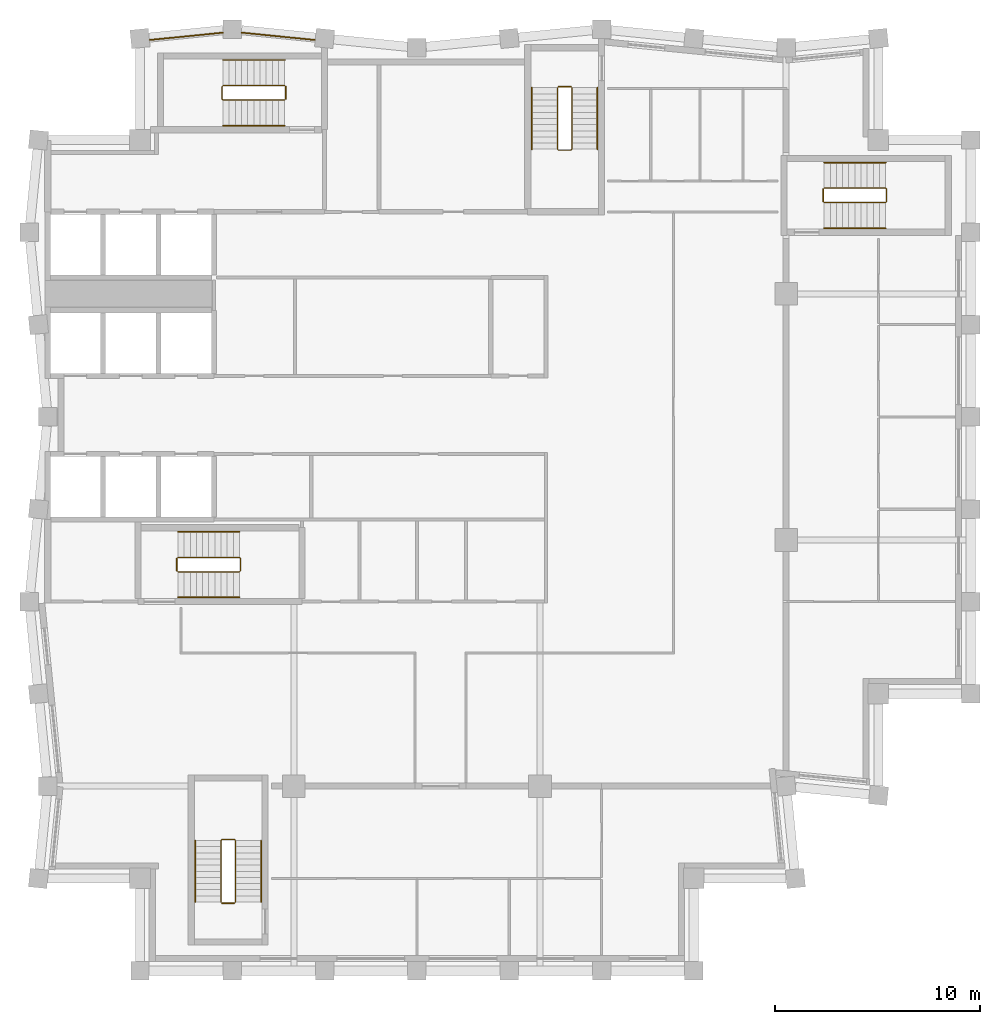
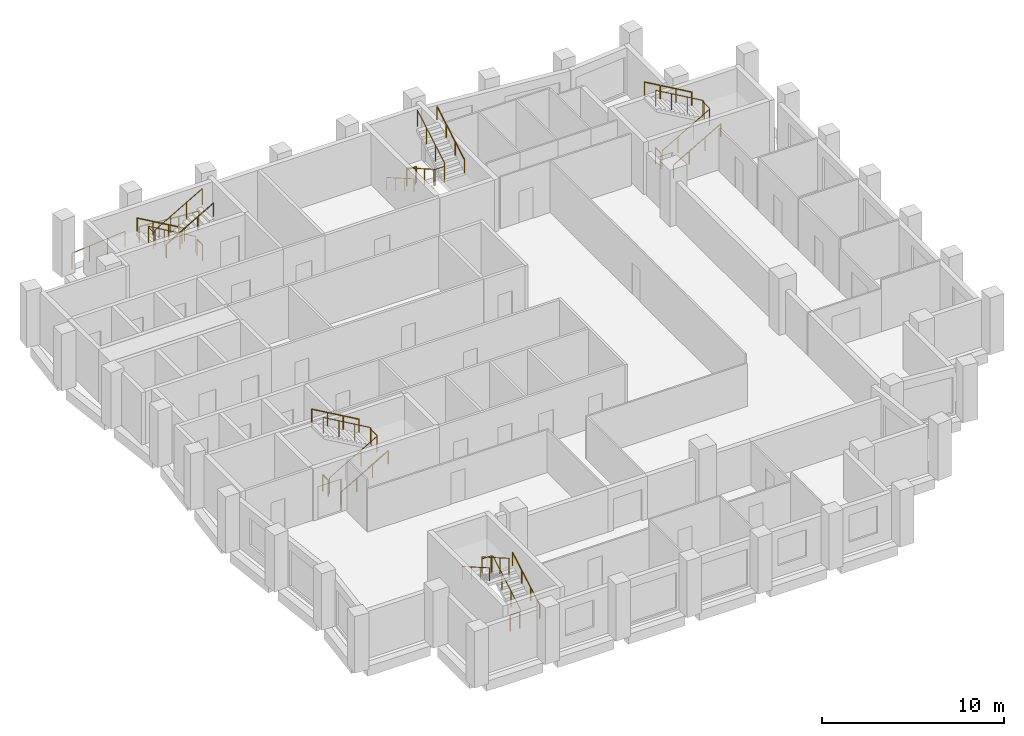
# One storey, part 7 of 7: 22 railings.
"""IFC4 building model written with IfcOpenShell, lengths in metres."""

from ifc_helpers import new_model, si_unit, direction, frame, origin, origin_2d, place, context, subcontext, project, spatial, circle, extrude, material, type_object, element, save


model = new_model("IFC4")

# Units and contexts
model_context = context("Model", 3, precision=1e-05, world=origin(), true_north=direction((0.0, 1.0)))
body_context = subcontext(model_context, "Body", "Model", "MODEL_VIEW")
ifc_project = project(units=[si_unit("LENGTHUNIT", "METRE"), si_unit("AREAUNIT", "SQUARE_METRE"), si_unit("VOLUMEUNIT", "CUBIC_METRE"), si_unit("PLANEANGLEUNIT", "RADIAN"), si_unit("MASSUNIT", "GRAM", prefix="KILO")], contexts=[model_context])

# Site, building, storey
site_placement = place(None, origin())
site = spatial("IfcSite", under=ifc_project, at=site_placement, CompositionType="ELEMENT")
building_placement = place(site_placement, origin())
building = spatial("IfcBuilding", under=site, at=building_placement, Name="Brondeck Convention Tower", CompositionType="ELEMENT")
storey_placement = place(building_placement, frame((0.0, 0.0, 256.199951171875)))
storey = spatial("IfcBuildingStorey", under=building, at=storey_placement, Name="L63", CompositionType="ELEMENT", Elevation=256.199951171875)

# Railings
ifc_material_1 = material(Name="Steel S355, bronze painted", Category="steel")
railing_type_1 = type_object("IfcRailingType", Name="Guard, bronze steel rail and posts", PredefinedType="GUARDRAIL", material=ifc_material_1)
railing_1_placement = place(storey_placement, frame((4.9794921875, 63.37744140625, 0.0)))
element("IfcRailing", 1, at=railing_1_placement, inside=storey, type_object=railing_type_1, Name="ENV-RL-L63-REAR1", PredefinedType="GUARDRAIL", context=body_context, shape_type="SweptSolid", body=[
    extrude(circle(Radius=0.02490234375, at=origin_2d()), frame((0.0, 0.0, 1.0751953125), z_axis=(0.995037864926, 0.099496971632, 0.0), x_axis=(-0.099496971632, 0.995037864926, 0.0)), (0.0, 0.0, 1.0), 3.58251953125),
    extrude(circle(Radius=0.02490234375, at=origin_2d()), origin(), (0.0, 0.0, 1.0), 1.050048828125),
    extrude(circle(Radius=0.02490234375, at=origin_2d()), frame((1.188232421875, 0.118896484375, 0.0)), (0.0, 0.0, 1.0), 1.050048828125),
    extrude(circle(Radius=0.02490234375, at=origin_2d()), frame((2.37646484375, 0.237548828125, 0.0)), (0.0, 0.0, 1.0), 1.050048828125),
    extrude(circle(Radius=0.02490234375, at=origin_2d()), frame((3.564697265625, 0.3564453125, 0.0)), (0.0, 0.0, 1.0), 1.050048828125),
])
railing_2_placement = place(storey_placement, frame((9.455810546875, 63.73388671875, 0.0)))
element("IfcRailing", 2, at=railing_2_placement, inside=storey, type_object=railing_type_1, Name="ENV-RL-L63-REAR2", PredefinedType="GUARDRAIL", context=body_context, shape_type="SweptSolid", body=[
    extrude(circle(Radius=0.02490234375, at=origin_2d()), frame((0.0, 0.0, 1.0751953125), z_axis=(0.995037864926, -0.099496971632, 0.0), x_axis=(0.099496971632, 0.995037864926, 0.0)), (0.0, 0.0, 1.0), 3.58251953125),
    extrude(circle(Radius=0.02490234375, at=origin_2d()), origin(), (0.0, 0.0, 1.0), 1.050048828125),
    extrude(circle(Radius=0.02490234375, at=origin_2d()), frame((1.188232421875, -0.118896484375, 0.0)), (0.0, 0.0, 1.0), 1.050048828125),
    extrude(circle(Radius=0.02490234375, at=origin_2d()), frame((2.37646484375, -0.237548828125, 0.0)), (0.0, 0.0, 1.0), 1.050048828125),
    extrude(circle(Radius=0.02490234375, at=origin_2d()), frame((3.564697265625, -0.3564453125, 0.0)), (0.0, 0.0, 1.0), 1.050048828125),
])
ifc_material_2 = material(Name="Steel S355", Category="steel")
railing_type_2 = type_object("IfcRailingType", Name="Stair guard 1100", PredefinedType="GUARDRAIL", material=ifc_material_2)
railing_3_placement = place(storey_placement, frame((6.35009765625, 37.449951171875, 0.1728515625)))
element("IfcRailing", 3, at=railing_3_placement, inside=storey, type_object=railing_type_2, Name="L63 ST-1 stair guard 1", PredefinedType="GUARDRAIL", context=body_context, shape_type="SweptSolid", body=[
    extrude(circle(Radius=0.02392578125, at=origin_2d()), frame((0.0, 0.0, 1.076171875), z_axis=(0.866619684472, 0.0, 0.498969260062), x_axis=(0.0, 1.0, 0.0)), (0.0, 0.0, 1.0), 3.461669921875),
    extrude(circle(Radius=0.02392578125, at=origin_2d()), frame((3.0, 0.0, 2.80322265625), z_axis=(0.705375805398, 0.708833529934, 0.0), x_axis=(-0.708833529934, 0.705375805398, 0.0)), (0.0, 0.0, 1.0), 0.070556640625),
    extrude(circle(Radius=0.02392578125, at=origin_2d()), frame((3.0498046875, 0.050048828125, 2.80322265625), z_axis=(0.0, 1.0, 0.0), x_axis=(-1.0, 0.0, 0.0)), (0.0, 0.0, 1.0), 0.60009765625),
    extrude(circle(Radius=0.02392578125, at=origin_2d()), frame((3.0498046875, 0.650146484375, 2.80322265625), z_axis=(-0.26715648603, 0.26715648603, 0.925880566782), x_axis=(-0.707106781187, -0.707106781187, 0.0)), (0.0, 0.0, 1.0), 0.1865234375),
    extrude(circle(Radius=0.02392578125, at=origin_2d()), frame((3.0, 0.699951171875, 2.97607421875), z_axis=(-0.866619684472, 0.0, 0.498969260062), x_axis=(0.0, -1.0, 0.0)), (0.0, 0.0, 1.0), 3.461669921875),
    extrude(circle(Radius=0.02099609375, at=origin_2d()), origin(), (0.0, 0.0, 1.0), 1.052001953125),
    extrude(circle(Radius=0.02099609375, at=origin_2d()), frame((1.0, 0.0, 0.57568359375)), (0.0, 0.0, 1.0), 1.052001953125),
    extrude(circle(Radius=0.02099609375, at=origin_2d()), frame((2.0, 0.0, 1.151611328125)), (0.0, 0.0, 1.0), 1.052001953125),
    extrude(circle(Radius=0.02099609375, at=origin_2d()), frame((3.0, 0.0, 1.727294921875)), (0.0, 0.0, 1.0), 1.052001953125),
    extrude(circle(Radius=0.02099609375, at=origin_2d()), frame((3.0498046875, 0.050048828125, 1.727294921875)), (0.0, 0.0, 1.0), 1.052001953125),
    extrude(circle(Radius=0.02099609375, at=origin_2d()), frame((3.0498046875, 0.650146484375, 1.727294921875)), (0.0, 0.0, 1.0), 1.052001953125),
    extrude(circle(Radius=0.02099609375, at=origin_2d()), frame((3.0, 0.699951171875, 1.89990234375)), (0.0, 0.0, 1.0), 1.052001953125),
    extrude(circle(Radius=0.02099609375, at=origin_2d()), frame((2.0, 0.699951171875, 2.4755859375)), (0.0, 0.0, 1.0), 1.052001953125),
    extrude(circle(Radius=0.02099609375, at=origin_2d()), frame((1.0, 0.699951171875, 3.051513671875)), (0.0, 0.0, 1.0), 1.052001953125),
    extrude(circle(Radius=0.02099609375, at=origin_2d()), frame((0.0, 0.699951171875, 3.627197265625)), (0.0, 0.0, 1.0), 1.052001953125),
])
railing_4_placement = place(storey_placement, frame((6.300048828125, 37.5, 0.0)))
element("IfcRailing", 4, at=railing_4_placement, inside=storey, type_object=railing_type_2, Name="L63 ST-1 stair guard 2", PredefinedType="GUARDRAIL", context=body_context, shape_type="SweptSolid", body=[
    extrude(circle(Radius=0.02392578125, at=origin_2d()), frame((0.0, 0.0, 1.076171875), z_axis=(0.0, 1.0, 0.0), x_axis=(-1.0, 0.0, 0.0)), (0.0, 0.0, 1.0), 0.60009765625),
    extrude(circle(Radius=0.02099609375, at=origin_2d()), origin(), (0.0, 0.0, 1.0), 1.052001953125),
    extrude(circle(Radius=0.02099609375, at=origin_2d()), frame((0.0, 0.60009765625, 0.0)), (0.0, 0.0, 1.0), 1.052001953125),
])
railing_5_placement = place(storey_placement, frame((24.85009765625, 61.050048828125, 0.1728515625)))
element("IfcRailing", 5, at=railing_5_placement, inside=storey, type_object=railing_type_2, Name="L63 ST-2 stair guard 1", PredefinedType="GUARDRAIL", context=body_context, shape_type="SweptSolid", body=[
    extrude(circle(Radius=0.02392578125, at=origin_2d()), frame((0.0, 0.0, 1.076171875), z_axis=(0.0, -0.866619684472, 0.498969260062), x_axis=(1.0, 0.0, 0.0)), (0.0, 0.0, 1.0), 3.461669921875),
    extrude(circle(Radius=0.02392578125, at=origin_2d()), frame((0.0, -3.0, 2.80322265625), z_axis=(0.705375805398, -0.708833529934, 0.0), x_axis=(0.708833529934, 0.705375805398, 0.0)), (0.0, 0.0, 1.0), 0.070556640625),
    extrude(circle(Radius=0.02392578125, at=origin_2d()), frame((0.0498046875, -3.050048828125, 2.80322265625), z_axis=(1.0, 0.0, 0.0), x_axis=(0.0, 1.0, 0.0)), (0.0, 0.0, 1.0), 0.60009765625),
    extrude(circle(Radius=0.02392578125, at=origin_2d()), frame((0.64990234375, -3.050048828125, 2.80322265625), z_axis=(0.268277960024, 0.268277960024, 0.925231793839), x_axis=(-0.707106781187, 0.707106781187, 0.0)), (0.0, 0.0, 1.0), 0.1865234375),
    extrude(circle(Radius=0.02392578125, at=origin_2d()), frame((0.699951171875, -3.0, 2.97607421875), z_axis=(0.0, 0.866619684472, 0.498969260062), x_axis=(-1.0, 0.0, 0.0)), (0.0, 0.0, 1.0), 3.461669921875),
    extrude(circle(Radius=0.02099609375, at=origin_2d()), origin(), (0.0, 0.0, 1.0), 1.052001953125),
    extrude(circle(Radius=0.02099609375, at=origin_2d()), frame((0.0, -1.0, 0.57568359375)), (0.0, 0.0, 1.0), 1.052001953125),
    extrude(circle(Radius=0.02099609375, at=origin_2d()), frame((0.0, -2.0, 1.151611328125)), (0.0, 0.0, 1.0), 1.052001953125),
    extrude(circle(Radius=0.02099609375, at=origin_2d()), frame((0.0, -3.0, 1.727294921875)), (0.0, 0.0, 1.0), 1.052001953125),
    extrude(circle(Radius=0.02099609375, at=origin_2d()), frame((0.0498046875, -3.050048828125, 1.727294921875)), (0.0, 0.0, 1.0), 1.052001953125),
    extrude(circle(Radius=0.02099609375, at=origin_2d()), frame((0.64990234375, -3.050048828125, 1.727294921875)), (0.0, 0.0, 1.0), 1.052001953125),
    extrude(circle(Radius=0.02099609375, at=origin_2d()), frame((0.699951171875, -3.0, 1.89990234375)), (0.0, 0.0, 1.0), 1.052001953125),
    extrude(circle(Radius=0.02099609375, at=origin_2d()), frame((0.699951171875, -2.0, 2.4755859375)), (0.0, 0.0, 1.0), 1.052001953125),
    extrude(circle(Radius=0.02099609375, at=origin_2d()), frame((0.699951171875, -1.0, 3.051513671875)), (0.0, 0.0, 1.0), 1.052001953125),
    extrude(circle(Radius=0.02099609375, at=origin_2d()), frame((0.699951171875, 0.0, 3.627197265625)), (0.0, 0.0, 1.0), 1.052001953125),
])
railing_6_placement = place(storey_placement, frame((24.89990234375, 61.10009765625, 0.0)))
element("IfcRailing", 6, at=railing_6_placement, inside=storey, type_object=railing_type_2, Name="L63 ST-2 stair guard 2", PredefinedType="GUARDRAIL", context=body_context, shape_type="SweptSolid", body=[
    extrude(circle(Radius=0.02392578125, at=origin_2d()), frame((0.0, 0.0, 1.076171875), z_axis=(1.0, 0.0, 0.0), x_axis=(0.0, 1.0, 0.0)), (0.0, 0.0, 1.0), 0.60009765625),
    extrude(circle(Radius=0.02099609375, at=origin_2d()), origin(), (0.0, 0.0, 1.0), 1.052001953125),
    extrude(circle(Radius=0.02099609375, at=origin_2d()), frame((0.60009765625, 0.0, 0.0)), (0.0, 0.0, 1.0), 1.052001953125),
])
railing_7_placement = place(storey_placement, frame((11.550048828125, 61.14990234375, 0.1728515625)))
element("IfcRailing", 7, at=railing_7_placement, inside=storey, type_object=railing_type_2, Name="L63 ST-3 stair guard 1", PredefinedType="GUARDRAIL", context=body_context, shape_type="SweptSolid", body=[
    extrude(circle(Radius=0.02392578125, at=origin_2d()), frame((0.0, 0.0, 1.076171875), z_axis=(-0.866619684472, 0.0, 0.498969260062), x_axis=(0.0, -1.0, 0.0)), (0.0, 0.0, 1.0), 3.461669921875),
    extrude(circle(Radius=0.02392578125, at=origin_2d()), frame((-3.0, 0.0, 2.80322265625), z_axis=(-0.708833529934, -0.705375805398, 0.0), x_axis=(0.705375805398, -0.708833529934, 0.0)), (0.0, 0.0, 1.0), 0.070556640625),
    extrude(circle(Radius=0.02392578125, at=origin_2d()), frame((-3.050048828125, -0.0498046875, 2.80322265625), z_axis=(0.0, -1.0, 0.0), x_axis=(1.0, 0.0, 0.0)), (0.0, 0.0, 1.0), 0.60009765625),
    extrude(circle(Radius=0.02392578125, at=origin_2d()), frame((-3.050048828125, -0.64990234375, 2.80322265625), z_axis=(0.268277960024, -0.268277960024, 0.925231793839), x_axis=(0.707106781187, 0.707106781187, 0.0)), (0.0, 0.0, 1.0), 0.1865234375),
    extrude(circle(Radius=0.02392578125, at=origin_2d()), frame((-3.0, -0.699951171875, 2.97607421875), z_axis=(0.866619684472, 0.0, 0.498969260062), x_axis=(0.0, 1.0, 0.0)), (0.0, 0.0, 1.0), 3.461669921875),
    extrude(circle(Radius=0.02099609375, at=origin_2d()), origin(), (0.0, 0.0, 1.0), 1.052001953125),
    extrude(circle(Radius=0.02099609375, at=origin_2d()), frame((-1.0, 0.0, 0.57568359375)), (0.0, 0.0, 1.0), 1.052001953125),
    extrude(circle(Radius=0.02099609375, at=origin_2d()), frame((-2.0, 0.0, 1.151611328125)), (0.0, 0.0, 1.0), 1.052001953125),
    extrude(circle(Radius=0.02099609375, at=origin_2d()), frame((-3.0, 0.0, 1.727294921875)), (0.0, 0.0, 1.0), 1.052001953125),
    extrude(circle(Radius=0.02099609375, at=origin_2d()), frame((-3.050048828125, -0.0498046875, 1.727294921875)), (0.0, 0.0, 1.0), 1.052001953125),
    extrude(circle(Radius=0.02099609375, at=origin_2d()), frame((-3.050048828125, -0.64990234375, 1.727294921875)), (0.0, 0.0, 1.0), 1.052001953125),
    extrude(circle(Radius=0.02099609375, at=origin_2d()), frame((-3.0, -0.699951171875, 1.89990234375)), (0.0, 0.0, 1.0), 1.052001953125),
    extrude(circle(Radius=0.02099609375, at=origin_2d()), frame((-2.0, -0.699951171875, 2.4755859375)), (0.0, 0.0, 1.0), 1.052001953125),
    extrude(circle(Radius=0.02099609375, at=origin_2d()), frame((-1.0, -0.699951171875, 3.051513671875)), (0.0, 0.0, 1.0), 1.052001953125),
    extrude(circle(Radius=0.02099609375, at=origin_2d()), frame((0.0, -0.699951171875, 3.627197265625)), (0.0, 0.0, 1.0), 1.052001953125),
])
railing_8_placement = place(storey_placement, frame((11.60009765625, 61.10009765625, 0.0)))
element("IfcRailing", 8, at=railing_8_placement, inside=storey, type_object=railing_type_2, Name="L63 ST-3 stair guard 2", PredefinedType="GUARDRAIL", context=body_context, shape_type="SweptSolid", body=[
    extrude(circle(Radius=0.02392578125, at=origin_2d()), frame((0.0, 0.0, 1.076171875), z_axis=(0.0, -1.0, 0.0), x_axis=(1.0, 0.0, 0.0)), (0.0, 0.0, 1.0), 0.60009765625),
    extrude(circle(Radius=0.02099609375, at=origin_2d()), origin(), (0.0, 0.0, 1.0), 1.052001953125),
    extrude(circle(Radius=0.02099609375, at=origin_2d()), frame((0.0, -0.60009765625, 0.0)), (0.0, 0.0, 1.0), 1.052001953125),
])
railing_9_placement = place(storey_placement, frame((37.85009765625, 55.449951171875, 0.1728515625)))
element("IfcRailing", 9, at=railing_9_placement, inside=storey, type_object=railing_type_2, Name="L63 ST-AE stair guard 1", PredefinedType="GUARDRAIL", context=body_context, shape_type="SweptSolid", body=[
    extrude(circle(Radius=0.02392578125, at=origin_2d()), frame((0.0, 0.0, 1.076171875), z_axis=(0.866619684472, 0.0, 0.498969260062), x_axis=(0.0, 1.0, 0.0)), (0.0, 0.0, 1.0), 3.461669921875),
    extrude(circle(Radius=0.02392578125, at=origin_2d()), frame((3.0, 0.0, 2.80322265625), z_axis=(0.705375805398, 0.708833529934, 0.0), x_axis=(-0.708833529934, 0.705375805398, 0.0)), (0.0, 0.0, 1.0), 0.070556640625),
    extrude(circle(Radius=0.02392578125, at=origin_2d()), frame((3.0498046875, 0.050048828125, 2.80322265625), z_axis=(0.0, 1.0, 0.0), x_axis=(-1.0, 0.0, 0.0)), (0.0, 0.0, 1.0), 0.60009765625),
    extrude(circle(Radius=0.02392578125, at=origin_2d()), frame((3.0498046875, 0.650146484375, 2.80322265625), z_axis=(-0.26715648603, 0.26715648603, 0.925880566782), x_axis=(-0.707106781187, -0.707106781187, 0.0)), (0.0, 0.0, 1.0), 0.1865234375),
    extrude(circle(Radius=0.02392578125, at=origin_2d()), frame((3.0, 0.699951171875, 2.97607421875), z_axis=(-0.866619684472, 0.0, 0.498969260062), x_axis=(0.0, -1.0, 0.0)), (0.0, 0.0, 1.0), 3.461669921875),
    extrude(circle(Radius=0.02099609375, at=origin_2d()), origin(), (0.0, 0.0, 1.0), 1.052001953125),
    extrude(circle(Radius=0.02099609375, at=origin_2d()), frame((1.0, 0.0, 0.57568359375)), (0.0, 0.0, 1.0), 1.052001953125),
    extrude(circle(Radius=0.02099609375, at=origin_2d()), frame((2.0, 0.0, 1.151611328125)), (0.0, 0.0, 1.0), 1.052001953125),
    extrude(circle(Radius=0.02099609375, at=origin_2d()), frame((3.0, 0.0, 1.727294921875)), (0.0, 0.0, 1.0), 1.052001953125),
    extrude(circle(Radius=0.02099609375, at=origin_2d()), frame((3.0498046875, 0.050048828125, 1.727294921875)), (0.0, 0.0, 1.0), 1.052001953125),
    extrude(circle(Radius=0.02099609375, at=origin_2d()), frame((3.0498046875, 0.650146484375, 1.727294921875)), (0.0, 0.0, 1.0), 1.052001953125),
    extrude(circle(Radius=0.02099609375, at=origin_2d()), frame((3.0, 0.699951171875, 1.89990234375)), (0.0, 0.0, 1.0), 1.052001953125),
    extrude(circle(Radius=0.02099609375, at=origin_2d()), frame((2.0, 0.699951171875, 2.4755859375)), (0.0, 0.0, 1.0), 1.052001953125),
    extrude(circle(Radius=0.02099609375, at=origin_2d()), frame((1.0, 0.699951171875, 3.051513671875)), (0.0, 0.0, 1.0), 1.052001953125),
    extrude(circle(Radius=0.02099609375, at=origin_2d()), frame((0.0, 0.699951171875, 3.627197265625)), (0.0, 0.0, 1.0), 1.052001953125),
])
railing_10_placement = place(storey_placement, frame((37.800048828125, 55.5, 0.0)))
element("IfcRailing", 10, at=railing_10_placement, inside=storey, type_object=railing_type_2, Name="L63 ST-AE stair guard 2", PredefinedType="GUARDRAIL", context=body_context, shape_type="SweptSolid", body=[
    extrude(circle(Radius=0.02392578125, at=origin_2d()), frame((0.0, 0.0, 1.076171875), z_axis=(0.0, 1.0, 0.0), x_axis=(-1.0, 0.0, 0.0)), (0.0, 0.0, 1.0), 0.60009765625),
    extrude(circle(Radius=0.02099609375, at=origin_2d()), origin(), (0.0, 0.0, 1.0), 1.052001953125),
    extrude(circle(Radius=0.02099609375, at=origin_2d()), frame((0.0, 0.60009765625, 0.0)), (0.0, 0.0, 1.0), 1.052001953125),
])
railing_11_placement = place(storey_placement, frame((9.14990234375, 21.35009765625, 0.1728515625)))
element("IfcRailing", 11, at=railing_11_placement, inside=storey, type_object=railing_type_2, Name="L63 ST-BE stair guard 1", PredefinedType="GUARDRAIL", context=body_context, shape_type="SweptSolid", body=[
    extrude(circle(Radius=0.02392578125, at=origin_2d()), frame((0.0, 0.0, 1.076171875), z_axis=(0.0, 0.866619684472, 0.498969260062), x_axis=(-1.0, 0.0, 0.0)), (0.0, 0.0, 1.0), 3.461669921875),
    extrude(circle(Radius=0.02392578125, at=origin_2d()), frame((0.0, 3.0, 2.80322265625), z_axis=(-0.707106781187, 0.707106781187, 0.0), x_axis=(-0.707106781187, -0.707106781187, 0.0)), (0.0, 0.0, 1.0), 0.0703125),
    extrude(circle(Radius=0.02392578125, at=origin_2d()), frame((-0.0498046875, 3.0498046875, 2.80322265625), z_axis=(-1.0, 0.0, 0.0), x_axis=(0.0, -1.0, 0.0)), (0.0, 0.0, 1.0), 0.60009765625),
    extrude(circle(Radius=0.02392578125, at=origin_2d()), frame((-0.64990234375, 3.0498046875, 2.80322265625), z_axis=(-0.268371968888, -0.267062837333, 0.925556009775), x_axis=(0.705375805398, -0.708833529934, 0.0)), (0.0, 0.0, 1.0), 0.1865234375),
    extrude(circle(Radius=0.02392578125, at=origin_2d()), frame((-0.699951171875, 3.0, 2.97607421875), z_axis=(0.0, -0.866619684472, 0.498969260062), x_axis=(1.0, 0.0, 0.0)), (0.0, 0.0, 1.0), 3.461669921875),
    extrude(circle(Radius=0.02099609375, at=origin_2d()), origin(), (0.0, 0.0, 1.0), 1.052001953125),
    extrude(circle(Radius=0.02099609375, at=origin_2d()), frame((0.0, 1.0, 0.57568359375)), (0.0, 0.0, 1.0), 1.052001953125),
    extrude(circle(Radius=0.02099609375, at=origin_2d()), frame((0.0, 2.0, 1.151611328125)), (0.0, 0.0, 1.0), 1.052001953125),
    extrude(circle(Radius=0.02099609375, at=origin_2d()), frame((0.0, 3.0, 1.727294921875)), (0.0, 0.0, 1.0), 1.052001953125),
    extrude(circle(Radius=0.02099609375, at=origin_2d()), frame((-0.0498046875, 3.0498046875, 1.727294921875)), (0.0, 0.0, 1.0), 1.052001953125),
    extrude(circle(Radius=0.02099609375, at=origin_2d()), frame((-0.64990234375, 3.0498046875, 1.727294921875)), (0.0, 0.0, 1.0), 1.052001953125),
    extrude(circle(Radius=0.02099609375, at=origin_2d()), frame((-0.699951171875, 3.0, 1.89990234375)), (0.0, 0.0, 1.0), 1.052001953125),
    extrude(circle(Radius=0.02099609375, at=origin_2d()), frame((-0.699951171875, 2.0, 2.4755859375)), (0.0, 0.0, 1.0), 1.052001953125),
    extrude(circle(Radius=0.02099609375, at=origin_2d()), frame((-0.699951171875, 1.0, 3.051513671875)), (0.0, 0.0, 1.0), 1.052001953125),
    extrude(circle(Radius=0.02099609375, at=origin_2d()), frame((-0.699951171875, 0.0, 3.627197265625)), (0.0, 0.0, 1.0), 1.052001953125),
])
railing_12_placement = place(storey_placement, frame((9.10009765625, 21.300048828125, 0.0)))
element("IfcRailing", 12, at=railing_12_placement, inside=storey, type_object=railing_type_2, Name="L63 ST-BE stair guard 2", PredefinedType="GUARDRAIL", context=body_context, shape_type="SweptSolid", body=[
    extrude(circle(Radius=0.02392578125, at=origin_2d()), frame((0.0, 0.0, 1.076171875), z_axis=(-1.0, 0.0, 0.0), x_axis=(0.0, -1.0, 0.0)), (0.0, 0.0, 1.0), 0.60009765625),
    extrude(circle(Radius=0.02099609375, at=origin_2d()), origin(), (0.0, 0.0, 1.0), 1.052001953125),
    extrude(circle(Radius=0.02099609375, at=origin_2d()), frame((-0.60009765625, 0.0, 0.0)), (0.0, 0.0, 1.0), 1.052001953125),
])
railing_type_3 = type_object("IfcRailingType", Name="Stair handrail", PredefinedType="HANDRAIL", material=ifc_material_2)
railing_13_placement = place(storey_placement, frame((6.35009765625, 36.199951171875, 0.1728515625)))
element("IfcRailing", 13, at=railing_13_placement, inside=storey, type_object=railing_type_3, Name="L63 ST-1 stair handrail 1", PredefinedType="HANDRAIL", context=body_context, shape_type="SweptSolid", body=[
    extrude(circle(Radius=0.02392578125, at=origin_2d()), frame((0.0, 0.0, 0.8759765625), z_axis=(0.866619684472, 0.0, 0.498969260062), x_axis=(0.0, 1.0, 0.0)), (0.0, 0.0, 1.0), 3.461669921875),
    extrude(circle(Radius=0.02099609375, at=origin_2d()), origin(), (0.0, 0.0, 1.0), 0.851806640625),
    extrude(circle(Radius=0.02099609375, at=origin_2d()), frame((1.0, 0.0, 0.57568359375)), (0.0, 0.0, 1.0), 0.851806640625),
    extrude(circle(Radius=0.02099609375, at=origin_2d()), frame((2.0, 0.0, 1.151611328125)), (0.0, 0.0, 1.0), 0.851806640625),
    extrude(circle(Radius=0.02099609375, at=origin_2d()), frame((3.0, 0.0, 1.727294921875)), (0.0, 0.0, 1.0), 0.851806640625),
])
railing_14_placement = place(storey_placement, frame((9.35009765625, 39.39990234375, 2.07275390625)))
element("IfcRailing", 14, at=railing_14_placement, inside=storey, type_object=railing_type_3, Name="L63 ST-1 stair handrail 2", PredefinedType="HANDRAIL", context=body_context, shape_type="SweptSolid", body=[
    extrude(circle(Radius=0.02392578125, at=origin_2d()), frame((0.0, 0.0, 0.8759765625), z_axis=(-0.866619684472, 0.0, 0.498969260062), x_axis=(0.0, -1.0, 0.0)), (0.0, 0.0, 1.0), 3.461669921875),
    extrude(circle(Radius=0.02099609375, at=origin_2d()), origin(), (0.0, 0.0, 1.0), 0.851806640625),
    extrude(circle(Radius=0.02099609375, at=origin_2d()), frame((-1.0, 0.0, 0.57568359375)), (0.0, 0.0, 1.0), 0.851806640625),
    extrude(circle(Radius=0.02099609375, at=origin_2d()), frame((-2.0, 0.0, 1.151611328125)), (0.0, 0.0, 1.0), 0.851806640625),
    extrude(circle(Radius=0.02099609375, at=origin_2d()), frame((-3.0, 0.0, 1.727294921875)), (0.0, 0.0, 1.0), 0.851806640625),
])
railing_15_placement = place(storey_placement, frame((23.60009765625, 61.050048828125, 0.1728515625)))
element("IfcRailing", 15, at=railing_15_placement, inside=storey, type_object=railing_type_3, Name="L63 ST-2 stair handrail 1", PredefinedType="HANDRAIL", context=body_context, shape_type="SweptSolid", body=[
    extrude(circle(Radius=0.02392578125, at=origin_2d()), frame((0.0, 0.0, 0.8759765625), z_axis=(0.0, -0.866619684472, 0.498969260062), x_axis=(1.0, 0.0, 0.0)), (0.0, 0.0, 1.0), 3.461669921875),
    extrude(circle(Radius=0.02099609375, at=origin_2d()), origin(), (0.0, 0.0, 1.0), 0.851806640625),
    extrude(circle(Radius=0.02099609375, at=origin_2d()), frame((0.0, -1.0, 0.57568359375)), (0.0, 0.0, 1.0), 0.851806640625),
    extrude(circle(Radius=0.02099609375, at=origin_2d()), frame((0.0, -2.0, 1.151611328125)), (0.0, 0.0, 1.0), 0.851806640625),
    extrude(circle(Radius=0.02099609375, at=origin_2d()), frame((0.0, -3.0, 1.727294921875)), (0.0, 0.0, 1.0), 0.851806640625),
])
railing_16_placement = place(storey_placement, frame((26.800048828125, 58.050048828125, 2.07275390625)))
element("IfcRailing", 16, at=railing_16_placement, inside=storey, type_object=railing_type_3, Name="L63 ST-2 stair handrail 2", PredefinedType="HANDRAIL", context=body_context, shape_type="SweptSolid", body=[
    extrude(circle(Radius=0.02392578125, at=origin_2d()), frame((0.0, 0.0, 0.8759765625), z_axis=(0.0, 0.866619684472, 0.498969260062), x_axis=(-1.0, 0.0, 0.0)), (0.0, 0.0, 1.0), 3.461669921875),
    extrude(circle(Radius=0.02099609375, at=origin_2d()), origin(), (0.0, 0.0, 1.0), 0.851806640625),
    extrude(circle(Radius=0.02099609375, at=origin_2d()), frame((0.0, 1.0, 0.57568359375)), (0.0, 0.0, 1.0), 0.851806640625),
    extrude(circle(Radius=0.02099609375, at=origin_2d()), frame((0.0, 2.0, 1.151611328125)), (0.0, 0.0, 1.0), 0.851806640625),
    extrude(circle(Radius=0.02099609375, at=origin_2d()), frame((0.0, 3.0, 1.727294921875)), (0.0, 0.0, 1.0), 0.851806640625),
])
railing_17_placement = place(storey_placement, frame((11.550048828125, 62.39990234375, 0.1728515625)))
element("IfcRailing", 17, at=railing_17_placement, inside=storey, type_object=railing_type_3, Name="L63 ST-3 stair handrail 1", PredefinedType="HANDRAIL", context=body_context, shape_type="SweptSolid", body=[
    extrude(circle(Radius=0.02392578125, at=origin_2d()), frame((0.0, 0.0, 0.8759765625), z_axis=(-0.866619684472, 0.0, 0.498969260062), x_axis=(0.0, -1.0, 0.0)), (0.0, 0.0, 1.0), 3.461669921875),
    extrude(circle(Radius=0.02099609375, at=origin_2d()), origin(), (0.0, 0.0, 1.0), 0.851806640625),
    extrude(circle(Radius=0.02099609375, at=origin_2d()), frame((-1.0, 0.0, 0.57568359375)), (0.0, 0.0, 1.0), 0.851806640625),
    extrude(circle(Radius=0.02099609375, at=origin_2d()), frame((-2.0, 0.0, 1.151611328125)), (0.0, 0.0, 1.0), 0.851806640625),
    extrude(circle(Radius=0.02099609375, at=origin_2d()), frame((-3.0, 0.0, 1.727294921875)), (0.0, 0.0, 1.0), 0.851806640625),
])
for number, where, name in (
    (18, (8.550048828125, 59.199951171875, 2.07275390625), "L63 ST-3 stair handrail 2"),
    (19, (37.85009765625, 54.199951171875, 0.1728515625), "L63 ST-AE stair handrail 1"),
):
    element("IfcRailing", number, at=place(storey_placement, frame(where)), inside=storey, type_object=railing_type_3, Name=name, PredefinedType="HANDRAIL", context=body_context, shape_type="SweptSolid", body=[
        extrude(circle(Radius=0.02392578125, at=origin_2d()), frame((0.0, 0.0, 0.8759765625), z_axis=(0.866619684472, 0.0, 0.498969260062), x_axis=(0.0, 1.0, 0.0)), (0.0, 0.0, 1.0), 3.461669921875),
        extrude(circle(Radius=0.02099609375, at=origin_2d()), origin(), (0.0, 0.0, 1.0), 0.851806640625),
        extrude(circle(Radius=0.02099609375, at=origin_2d()), frame((1.0, 0.0, 0.57568359375)), (0.0, 0.0, 1.0), 0.851806640625),
        extrude(circle(Radius=0.02099609375, at=origin_2d()), frame((2.0, 0.0, 1.151611328125)), (0.0, 0.0, 1.0), 0.851806640625),
        extrude(circle(Radius=0.02099609375, at=origin_2d()), frame((3.0, 0.0, 1.727294921875)), (0.0, 0.0, 1.0), 0.851806640625),
    ])
railing_18_placement = place(storey_placement, frame((40.85009765625, 57.39990234375, 2.07275390625)))
element("IfcRailing", 20, at=railing_18_placement, inside=storey, type_object=railing_type_3, Name="L63 ST-AE stair handrail 2", PredefinedType="HANDRAIL", context=body_context, shape_type="SweptSolid", body=[
    extrude(circle(Radius=0.02392578125, at=origin_2d()), frame((0.0, 0.0, 0.8759765625), z_axis=(-0.866619684472, 0.0, 0.498969260062), x_axis=(0.0, -1.0, 0.0)), (0.0, 0.0, 1.0), 3.461669921875),
    extrude(circle(Radius=0.02099609375, at=origin_2d()), origin(), (0.0, 0.0, 1.0), 0.851806640625),
    extrude(circle(Radius=0.02099609375, at=origin_2d()), frame((-1.0, 0.0, 0.57568359375)), (0.0, 0.0, 1.0), 0.851806640625),
    extrude(circle(Radius=0.02099609375, at=origin_2d()), frame((-2.0, 0.0, 1.151611328125)), (0.0, 0.0, 1.0), 0.851806640625),
    extrude(circle(Radius=0.02099609375, at=origin_2d()), frame((-3.0, 0.0, 1.727294921875)), (0.0, 0.0, 1.0), 0.851806640625),
])
railing_19_placement = place(storey_placement, frame((10.39990234375, 21.35009765625, 0.1728515625)))
element("IfcRailing", 21, at=railing_19_placement, inside=storey, type_object=railing_type_3, Name="L63 ST-BE stair handrail 1", PredefinedType="HANDRAIL", context=body_context, shape_type="SweptSolid", body=[
    extrude(circle(Radius=0.02392578125, at=origin_2d()), frame((0.0, 0.0, 0.8759765625), z_axis=(0.0, 0.866619684472, 0.498969260062), x_axis=(-1.0, 0.0, 0.0)), (0.0, 0.0, 1.0), 3.461669921875),
    extrude(circle(Radius=0.02099609375, at=origin_2d()), origin(), (0.0, 0.0, 1.0), 0.851806640625),
    extrude(circle(Radius=0.02099609375, at=origin_2d()), frame((0.0, 1.0, 0.57568359375)), (0.0, 0.0, 1.0), 0.851806640625),
    extrude(circle(Radius=0.02099609375, at=origin_2d()), frame((0.0, 2.0, 1.151611328125)), (0.0, 0.0, 1.0), 0.851806640625),
    extrude(circle(Radius=0.02099609375, at=origin_2d()), frame((0.0, 3.0, 1.727294921875)), (0.0, 0.0, 1.0), 0.851806640625),
])
railing_20_placement = place(storey_placement, frame((7.199951171875, 24.35009765625, 2.07275390625)))
element("IfcRailing", 22, at=railing_20_placement, inside=storey, type_object=railing_type_3, Name="L63 ST-BE stair handrail 2", PredefinedType="HANDRAIL", context=body_context, shape_type="SweptSolid", body=[
    extrude(circle(Radius=0.02392578125, at=origin_2d()), frame((0.0, 0.0, 0.8759765625), z_axis=(0.0, -0.866619684472, 0.498969260062), x_axis=(1.0, 0.0, 0.0)), (0.0, 0.0, 1.0), 3.461669921875),
    extrude(circle(Radius=0.02099609375, at=origin_2d()), origin(), (0.0, 0.0, 1.0), 0.851806640625),
    extrude(circle(Radius=0.02099609375, at=origin_2d()), frame((0.0, -1.0, 0.57568359375)), (0.0, 0.0, 1.0), 0.851806640625),
    extrude(circle(Radius=0.02099609375, at=origin_2d()), frame((0.0, -2.0, 1.151611328125)), (0.0, 0.0, 1.0), 0.851806640625),
    extrude(circle(Radius=0.02099609375, at=origin_2d()), frame((0.0, -3.0, 1.727294921875)), (0.0, 0.0, 1.0), 0.851806640625),
])

save(model, "model.ifc")
